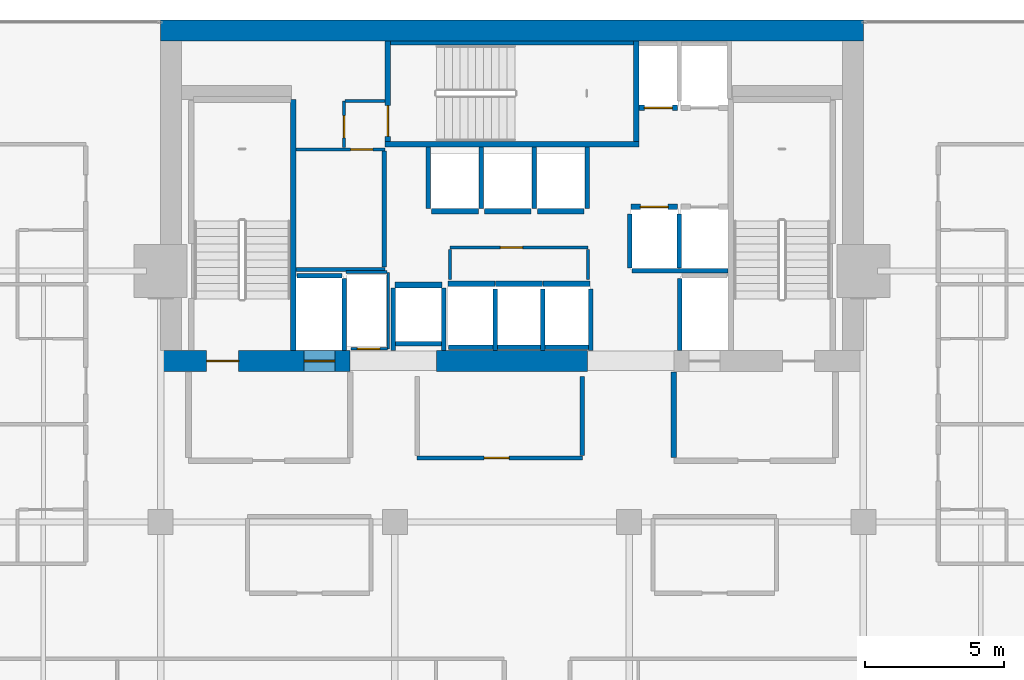
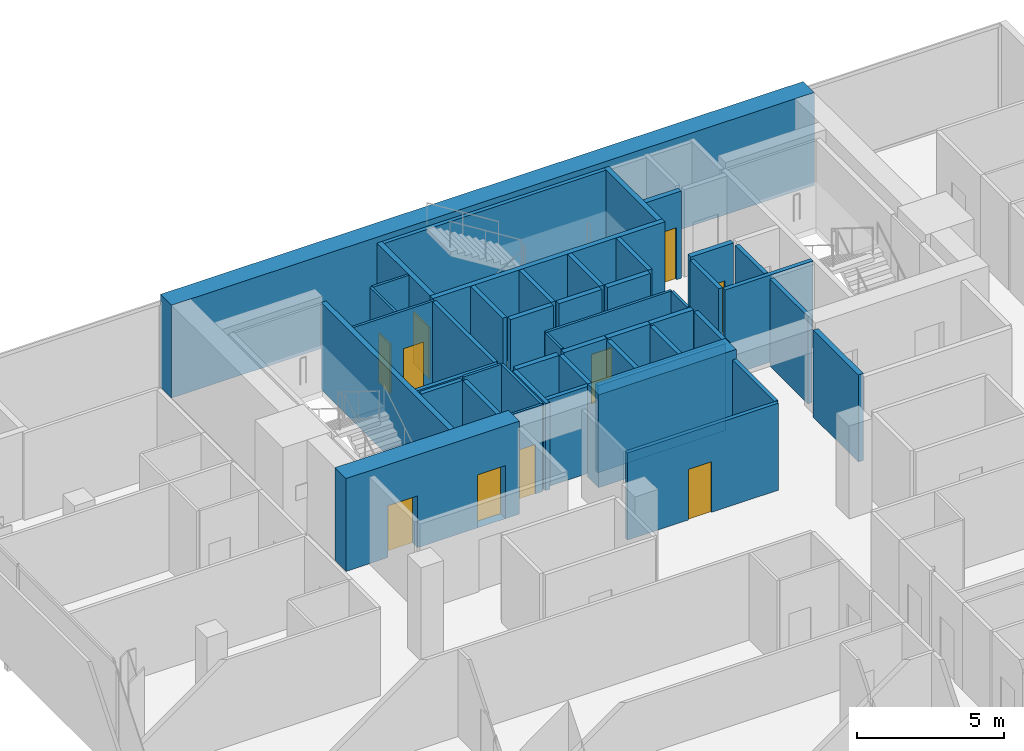
# One storey, part 30 of 34: 48 walls, 10 doors, 10 openings.
"""IFC4 building model written with IfcOpenShell, lengths in metres."""

from ifc_helpers import new_model, si_unit, direction, frame, frame_2d, origin, place, context, subcontext, project, spatial, rectangle, extrude, material, layer, layer_set, type_object, element, fill, save


model = new_model("IFC4")

# Units and contexts
model_context = context("Model", 3, precision=1e-05, world=origin(), true_north=direction((0.0, 1.0)))
body_context = subcontext(model_context, "Body", "Model", "MODEL_VIEW")
ifc_project = project(units=[si_unit("LENGTHUNIT", "METRE"), si_unit("AREAUNIT", "SQUARE_METRE"), si_unit("VOLUMEUNIT", "CUBIC_METRE"), si_unit("PLANEANGLEUNIT", "RADIAN"), si_unit("MASSUNIT", "GRAM", prefix="KILO")], contexts=[model_context])

# Site, building, storey
site_placement = place(None, origin())
site = spatial("IfcSite", under=ifc_project, at=site_placement, CompositionType="ELEMENT")
building_placement = place(site_placement, origin())
building = spatial("IfcBuilding", under=site, at=building_placement, Name="Maruvema Waterfront Hotel and Observation Tower", CompositionType="ELEMENT")
storey_placement = place(building_placement, frame((0.0, 0.0, 173.60009765625)))
storey = spatial("IfcBuildingStorey", under=building, at=storey_placement, Name="L42", CompositionType="ELEMENT", Elevation=173.60009765625)

# Walls
ifc_material_1 = material(Name="Twin-stud acoustic gypsum drywall", Category="gypsum")
ifc_layer_1 = layer(ifc_material_1, 0.14990234375, Name="Acoustic Corridor and Suite Demising Wall 150 mm")
ifc_layer_set_1 = layer_set([ifc_layer_1], Name="Twin-stud acoustic gypsum drywall")
wall_type_1 = type_object("IfcWallType", Name="Acoustic Corridor and Suite Demising Wall 150 mm", PredefinedType="PARTITIONING", material=ifc_layer_set_1)
wall_1_placement = place(storey_placement, frame((30.06005859375, 45.06005859375, 0.0), z_axis=(0.0, 0.0, 1.0), x_axis=(1.0, 0.0, 0.0)))
element("IfcWall", 1, at=wall_1_placement, inside=storey, type_object=wall_type_1, Name="L42 Freed B1 South Wall 013", PredefinedType="PARTITIONING", context=body_context, shape_type="SweptSolid", body=[
    extrude(rectangle(XDim=3.179931640625, YDim=0.14990234375, at=frame_2d((1.58984375, 0.0))), origin(), (0.0, 0.0, 1.0), 3.60986328125),
])
wall_2_placement = place(storey_placement, frame((33.219970703125, 45.139892578125, 0.0), z_axis=(0.0, 0.0, 1.0), x_axis=(0.0, 1.0, 0.0)))
element("IfcWall", 2, at=wall_2_placement, inside=storey, type_object=wall_type_1, Name="L42 Freed B1 East Wall 014", PredefinedType="PARTITIONING", context=body_context, shape_type="SweptSolid", body=[
    extrude(rectangle(XDim=4.16015625, YDim=0.14990234375, at=frame_2d((2.080078125, 0.0))), origin(), (0.0, 0.0, 1.0), 3.60986328125),
])

# Wall, opening, door
wall_3_placement = place(storey_placement, frame((34.39990234375, 38.300048828125, 0.0), z_axis=(0.0, 0.0, 1.0), x_axis=(1.0, 0.0, 0.0)))
wall_3 = element("IfcWall", 3, at=wall_3_placement, inside=storey, type_object=wall_type_1, Name="L42 Core Apron K0 South 018", PredefinedType="PARTITIONING", context=body_context, shape_type="SweptSolid", body=[
    extrude(rectangle(XDim=5.920166015625, YDim=0.14990234375, at=frame_2d((2.9599609375, 0.0))), origin(), (0.0, 0.0, 1.0), 3.60986328125),
])
opening_1_placement = place(wall_3_placement, frame((2.39990234375, 0.0, 0.0)))
opening_1 = element("IfcOpeningElement", 4, at=opening_1_placement, cuts=wall_3, Name="Opening DR-090", PredefinedType="OPENING", context=body_context, shape_type="SweptSolid", body=[
    extrude(rectangle(XDim=0.89990234375, YDim=2.10009765625, at=frame_2d((0.449951171875, 1.050048828125))), frame((0.0, 0.0849609375, 0.0), z_axis=(0.0, -1.0, 0.0), x_axis=(1.0, 0.0, 0.0)), (0.0, 0.0, 1.0), 0.169921875),
])
ifc_material_2 = material(Name="Solid-core lacquered timber leaf", Category="wood")
door_type_1 = type_object("IfcDoorType", Name="Accessible Toilet and Room Door 900x2100 mm", OperationType="NOTDEFINED", PredefinedType="DOOR", material=ifc_material_2)
door_1_placement = place(opening_1_placement, frame((0.89990234375, 0.0, 0.0), z_axis=(0.0, 0.0, 1.0), x_axis=(-1.0, 0.0, 0.0)))
door_1 = element("IfcDoor", 5, at=door_1_placement, inside=storey, type_object=door_type_1, Name="L42 Core Valet Room Door", OperationType="SINGLE_SWING_LEFT", OverallHeight=2.10009765625, OverallWidth=0.89990234375, PredefinedType="DOOR", context=body_context, shape_type="SweptSolid", body=[
    extrude(rectangle(XDim=0.89990234375, YDim=2.10009765625, at=frame_2d((0.449951171875, 1.050048828125))), frame((0.0, 0.02490234375, 0.0), z_axis=(0.0, -1.0, 0.0), x_axis=(1.0, 0.0, 0.0)), (0.0, 0.0, 1.0), 0.050048828125),
])
fill(opening_1, door_1)

# Walls
wall_4_placement = place(storey_placement, frame((40.320068359375, 38.3798828125, 0.0), z_axis=(0.0, 0.0, 1.0), x_axis=(0.0, 1.0, 0.0)))
element("IfcWall", 6, at=wall_4_placement, inside=storey, type_object=wall_type_1, Name="L42 Core Apron K0 East 020", PredefinedType="PARTITIONING", context=body_context, shape_type="SweptSolid", body=[
    extrude(rectangle(XDim=2.840087890625, YDim=0.14990234375, at=frame_2d((1.419921875, 0.0))), origin(), (0.0, 0.0, 1.0), 3.60986328125),
])
ifc_material_3 = material(Name="Precast concrete C45/55", Category="concrete")
ifc_layer_2 = layer(ifc_material_3, 0.14990234375, Name="Core Shaft Furring Wall 150 mm")
ifc_layer_set_2 = layer_set([ifc_layer_2], Name="Precast concrete C45/55")
wall_type_2 = type_object("IfcWallType", Name="Core Shaft Furring Wall 150 mm", PredefinedType="SOLIDWALL", material=ifc_layer_set_2)
wall_5_placement = place(storey_placement, frame((33.449951171875, 53.175048828125, 0.0), z_axis=(0.0, 0.0, 1.0), x_axis=(1.0, 0.0, 0.0)))
element("IfcWall", 7, at=wall_5_placement, inside=storey, type_object=wall_type_2, Name="L42 Stairwell ST-02 North Furring Wall", PredefinedType="SOLIDWALL", context=body_context, shape_type="SweptSolid", body=[
    extrude(rectangle(XDim=8.699951171875, YDim=0.14990234375, at=frame_2d((4.35009765625, 0.0))), origin(), (0.0, 0.0, 1.0), 3.60986328125),
])
ifc_material_4 = material(Name="Precast concrete C45/55", Category="concrete")
ifc_layer_3 = layer(ifc_material_4, 0.199951171875, Name="Core Shaft and Stairwell Enclosure Wall 200 mm")
ifc_layer_set_3 = layer_set([ifc_layer_3], Name="Precast concrete C45/55")
wall_type_3 = type_object("IfcWallType", Name="Core Shaft and Stairwell Enclosure Wall 200 mm", PredefinedType="SOLIDWALL", material=ifc_layer_set_3)
wall_6_placement = place(storey_placement, frame((29.949951171875, 42.14990234375, 0.0), z_axis=(0.0, 0.0, 1.0), x_axis=(0.0, 1.0, 0.0)))
element("IfcWall", 8, at=wall_6_placement, inside=storey, type_object=wall_type_3, Name="L42 Stairwell ST-01 East Shaft Wall", PredefinedType="SOLIDWALL", context=body_context, shape_type="SweptSolid", body=[
    extrude(rectangle(XDim=9.0, YDim=0.199951171875, at=frame_2d((4.5, 0.0))), origin(), (0.0, 0.0, 1.0), 3.60986328125),
])
wall_7_placement = place(storey_placement, frame((33.25, 49.550048828125, 0.0), z_axis=(0.0, 0.0, 1.0), x_axis=(1.0, 0.0, 0.0)))
element("IfcWall", 9, at=wall_7_placement, inside=storey, type_object=wall_type_3, Name="L42 Stairwell ST-02 Shaft Wall", PredefinedType="SOLIDWALL", context=body_context, shape_type="SweptSolid", body=[
    extrude(rectangle(XDim=9.10009765625, YDim=0.199951171875, at=frame_2d((4.550048828125, 0.0))), origin(), (0.0, 0.0, 1.0), 3.60986328125),
])
wall_8_placement = place(storey_placement, frame((42.25, 49.64990234375, 0.0), z_axis=(0.0, 0.0, 1.0), x_axis=(0.0, 1.0, 0.0)))
element("IfcWall", 10, at=wall_8_placement, inside=storey, type_object=wall_type_3, Name="L42 Stairwell ST-02 Shaft Wall", PredefinedType="SOLIDWALL", context=body_context, shape_type="SweptSolid", body=[
    extrude(rectangle(XDim=3.60009765625, YDim=0.199951171875, at=frame_2d((1.800048828125, 0.0))), origin(), (0.0, 0.0, 1.0), 3.60986328125),
])

# Wall, opening, door
wall_9_placement = place(storey_placement, frame((33.35009765625, 49.64990234375, 0.0), z_axis=(0.0, 0.0, 1.0), x_axis=(0.0, 1.0, 0.0)))
wall_9 = element("IfcWall", 11, at=wall_9_placement, inside=storey, type_object=wall_type_3, Name="L42 Stairwell ST-02 Shaft Wall", PredefinedType="SOLIDWALL", context=body_context, shape_type="SweptSolid", body=[
    extrude(rectangle(XDim=3.60009765625, YDim=0.199951171875, at=frame_2d((1.800048828125, 0.0))), origin(), (0.0, 0.0, 1.0), 3.60986328125),
])
opening_2_placement = place(wall_9_placement, frame((0.179931640625, 0.0, 0.0)))
opening_2 = element("IfcOpeningElement", 12, at=opening_2_placement, cuts=wall_9, Name="Opening SD-02", PredefinedType="OPENING", context=body_context, shape_type="SweptSolid", body=[
    extrude(rectangle(XDim=1.10009765625, YDim=2.14990234375, at=frame_2d((0.550048828125, 1.074951171875))), frame((0.0, 0.10986328125, 0.0), z_axis=(0.0, -1.0, 0.0), x_axis=(1.0, 0.0, 0.0)), (0.0, 0.0, 1.0), 0.219970703125),
])
ifc_material_5 = material(Name="Fire-rated galvanised steel leaf", Category="steel")
door_type_2 = type_object("IfcDoorType", Name="Central Exit Stair Fire Door 1100x2150 mm", OperationType="NOTDEFINED", PredefinedType="DOOR", material=ifc_material_5)
door_2_placement = place(opening_2_placement, frame((1.10009765625, 0.0, 0.0), z_axis=(0.0, 0.0, 1.0), x_axis=(-1.0, 0.0, 0.0)))
door_2 = element("IfcDoor", 13, at=door_2_placement, inside=storey, type_object=door_type_2, Name="L42 Exit Stair ST-02 Fire Door", OperationType="SINGLE_SWING_LEFT", OverallHeight=2.14990234375, OverallWidth=1.10009765625, PredefinedType="DOOR", context=body_context, shape_type="SweptSolid", body=[
    extrude(rectangle(XDim=1.10009765625, YDim=2.14990234375, at=frame_2d((0.550048828125, 1.074951171875))), frame((0.0, 0.02490234375, 0.0), z_axis=(0.0, -1.0, 0.0), x_axis=(1.0, 0.0, 0.0)), (0.0, 0.0, 1.0), 0.050048828125),
])
fill(opening_2, door_2)

wall_10_placement = place(storey_placement, frame((42.06005859375, 47.300048828125, 0.0), z_axis=(0.0, 0.0, 1.0), x_axis=(1.0, 0.0, 0.0)))
wall_10 = element("IfcWall", 14, at=wall_10_placement, inside=storey, type_object=wall_type_3, Name="L42 Lift LF-05 Hoistway Front Wall", PredefinedType="SOLIDWALL", context=body_context, shape_type="SweptSolid", body=[
    extrude(rectangle(XDim=1.679931640625, YDim=0.199951171875, at=frame_2d((0.83984375, 0.0))), origin(), (0.0, 0.0, 1.0), 3.60986328125),
])
opening_3_placement = place(wall_10_placement, frame((0.340087890625, 0.0, 0.0)))
opening_3 = element("IfcOpeningElement", 15, at=opening_3_placement, cuts=wall_10, Name="Opening LD-01", PredefinedType="OPENING", context=body_context, shape_type="SweptSolid", body=[
    extrude(rectangle(XDim=1.0, YDim=2.14990234375, at=frame_2d((0.5, 1.074951171875))), frame((0.0, 0.10986328125, 0.0), z_axis=(0.0, -1.0, 0.0), x_axis=(1.0, 0.0, 0.0)), (0.0, 0.0, 1.0), 0.219970703125),
])
ifc_material_6 = material(Name="Brushed stainless steel Grade 316", Category="steel")
door_type_3 = type_object("IfcDoorType", Name="Passenger Lift Sliding Landing Door 1000x2150 mm", OperationType="SLIDING_TO_LEFT", PredefinedType="DOOR", material=ifc_material_6)
door_3_placement = place(opening_3_placement, origin())
door_3 = element("IfcDoor", 16, at=door_3_placement, inside=storey, type_object=door_type_3, Name="L42 Lift LF-05 Sliding Landing Door", OperationType="SLIDING_TO_LEFT", OverallHeight=2.14990234375, OverallWidth=1.0, PredefinedType="DOOR", context=body_context, shape_type="SweptSolid", body=[
    extrude(rectangle(XDim=1.0, YDim=2.14990234375, at=frame_2d((0.5, 1.074951171875))), frame((0.0, 0.02490234375, 0.0), z_axis=(0.0, -1.0, 0.0), x_axis=(1.0, 0.0, 0.0)), (0.0, 0.0, 1.0), 0.050048828125),
])
fill(opening_3, door_3)

wall_11_placement = place(storey_placement, frame((42.360107421875, 50.85009765625, 0.0), z_axis=(0.0, 0.0, 1.0), x_axis=(1.0, 0.0, 0.0)))
wall_11 = element("IfcWall", 17, at=wall_11_placement, inside=storey, type_object=wall_type_3, Name="L42 Lift LF-07 Hoistway Front Wall", PredefinedType="SOLIDWALL", context=body_context, shape_type="SweptSolid", body=[
    extrude(rectangle(XDim=1.3798828125, YDim=0.199951171875, at=frame_2d((0.68994140625, 0.0))), origin(), (0.0, 0.0, 1.0), 3.60986328125),
])
opening_4_placement = place(wall_11_placement, frame((0.18994140625, 0.0, 0.0)))
opening_4 = element("IfcOpeningElement", 18, at=opening_4_placement, cuts=wall_11, Name="Opening LD-01", PredefinedType="OPENING", context=body_context, shape_type="SweptSolid", body=[
    extrude(rectangle(XDim=1.0, YDim=2.14990234375, at=frame_2d((0.5, 1.074951171875))), frame((0.0, 0.10986328125, 0.0), z_axis=(0.0, -1.0, 0.0), x_axis=(1.0, 0.0, 0.0)), (0.0, 0.0, 1.0), 0.219970703125),
])
door_4_placement = place(opening_4_placement, frame((1.0, 0.0, 0.0), z_axis=(0.0, 0.0, 1.0), x_axis=(-1.0, 0.0, 0.0)))
door_4 = element("IfcDoor", 19, at=door_4_placement, inside=storey, type_object=door_type_3, Name="L42 Lift LF-07 Sliding Landing Door", OperationType="SLIDING_TO_LEFT", OverallHeight=2.14990234375, OverallWidth=1.0, PredefinedType="DOOR", context=body_context, shape_type="SweptSolid", body=[
    extrude(rectangle(XDim=1.0, YDim=2.14990234375, at=frame_2d((0.5, 1.074951171875))), frame((0.0, 0.02490234375, 0.0), z_axis=(0.0, -1.0, 0.0), x_axis=(1.0, 0.0, 0.0)), (0.0, 0.0, 1.0), 0.050048828125),
])
fill(opening_4, door_4)

# Walls
for number, where, z_axis, x_axis, name in (
    (20, (35.510009765625, 44.550048828125, 0.0), (0.0, 0.0, 1.0), (1.0, 0.0, 0.0), "L42 Lift LF-09 Hoistway Front Wall"),
    (21, (37.2099609375, 44.550048828125, 0.0), (0.0, 0.0, 1.0), (1.0, 0.0, 0.0), "L42 Lift LF-10 Hoistway Front Wall"),
):
    element("IfcWall", number, at=place(storey_placement, frame(where, z_axis=z_axis, x_axis=x_axis)), inside=storey, type_object=wall_type_3, Name=name, PredefinedType="SOLIDWALL", context=body_context, shape_type="SweptSolid", body=[
        extrude(rectangle(XDim=1.679931640625, YDim=0.199951171875, at=frame_2d((0.83984375, 0.0))), origin(), (0.0, 0.0, 1.0), 3.60986328125),
    ])
for number, where, z_axis, x_axis, name in (
    (22, (38.909912109375, 44.550048828125, 0.0), (0.0, 0.0, 1.0), (1.0, 0.0, 0.0), "L42 Lift LF-11 Hoistway Front Wall"),
    (23, (34.909912109375, 47.14990234375, 0.0), (0.0, 0.0, 1.0), (1.0, 0.0, 0.0), "L42 Lift LF-12 Hoistway Front Wall"),
):
    element("IfcWall", number, at=place(storey_placement, frame(where, z_axis=z_axis, x_axis=x_axis)), inside=storey, type_object=wall_type_3, Name=name, PredefinedType="SOLIDWALL", context=body_context, shape_type="SweptSolid", body=[
        extrude(rectangle(XDim=1.68017578125, YDim=0.199951171875, at=frame_2d((0.840087890625, 0.0))), origin(), (0.0, 0.0, 1.0), 3.60986328125),
    ])
for number, where, z_axis, x_axis, name in (
    (24, (36.81005859375, 47.14990234375, 0.0), (0.0, 0.0, 1.0), (1.0, 0.0, 0.0), "L42 Lift LF-13 Hoistway Front Wall"),
    (25, (38.7099609375, 47.14990234375, 0.0), (0.0, 0.0, 1.0), (1.0, 0.0, 0.0), "L42 Lift LF-14 Hoistway Front Wall"),
    (26, (33.610107421875, 44.5, 0.0), (0.0, 0.0, 1.0), (1.0, 0.0, 0.0), "L42 Lift LF-15 Hoistway Front Wall"),
):
    element("IfcWall", number, at=place(storey_placement, frame(where, z_axis=z_axis, x_axis=x_axis)), inside=storey, type_object=wall_type_3, Name=name, PredefinedType="SOLIDWALL", context=body_context, shape_type="SweptSolid", body=[
        extrude(rectangle(XDim=1.679931640625, YDim=0.199951171875, at=frame_2d((0.83984375, 0.0))), origin(), (0.0, 0.0, 1.0), 3.60986328125),
    ])
ifc_material_7 = material(Name="Concrete C70/85", Category="concrete")
ifc_layer_4 = layer(ifc_material_7, 0.75, Name="Core Shear Wall 750 mm")
ifc_layer_set_4 = layer_set([ifc_layer_4], Name="Concrete C70/85")
wall_type_4 = type_object("IfcWallType", Name="Core Shear Wall 750 mm", PredefinedType="SHEAR", material=ifc_layer_set_4)
wall_12_placement = place(storey_placement, frame((25.199951171875, 53.625, 0.0), z_axis=(0.0, 0.0, 1.0), x_axis=(1.0, 0.0, 0.0)))
element("IfcWall", 27, at=wall_12_placement, inside=storey, type_object=wall_type_4, Name="L42 North Core Shear Wall", PredefinedType="SHEAR", context=body_context, shape_type="SweptSolid", body=[
    extrude(rectangle(XDim=25.199951171875, YDim=0.75, at=frame_2d((12.60009765625, 0.0))), origin(), (0.0, 0.0, 1.0), 3.849853515625),
])

# Wall, openings, doors
wall_13_placement = place(storey_placement, frame((25.199951171875, 41.77490234375, 0.0), z_axis=(0.0, 0.0, 1.0), x_axis=(1.0, 0.0, 0.0)))
wall_13 = element("IfcWall", 28, at=wall_13_placement, inside=storey, type_object=wall_type_4, Name="L42 South-West Core Shear Wall", PredefinedType="SHEAR", context=body_context, shape_type="SweptSolid", body=[
    extrude(rectangle(XDim=6.800048828125, YDim=0.75, at=frame_2d((3.39990234375, 0.0))), origin(), (0.0, 0.0, 1.0), 3.849853515625),
])
opening_5_placement = place(wall_13_placement, frame((1.64990234375, 0.0, 0.0)))
opening_5 = element("IfcOpeningElement", 29, at=opening_5_placement, cuts=wall_13, Name="Opening SD-01", PredefinedType="OPENING", context=body_context, shape_type="SweptSolid", body=[
    extrude(rectangle(XDim=1.14990234375, YDim=2.14990234375, at=frame_2d((0.574951171875, 1.074951171875))), frame((0.0, 0.385009765625, 0.0), z_axis=(0.0, -1.0, 0.0), x_axis=(1.0, 0.0, 0.0)), (0.0, 0.0, 1.0), 0.77001953125),
])
opening_6_placement = place(wall_13_placement, frame((5.14990234375, 0.0, 0.0)))
opening_6 = element("IfcOpeningElement", 30, at=opening_6_placement, cuts=wall_13, Name="Opening LD-03", PredefinedType="OPENING", context=body_context, shape_type="SweptSolid", body=[
    extrude(rectangle(XDim=1.10009765625, YDim=2.199951171875, at=frame_2d((0.550048828125, 1.10009765625))), frame((0.0, 0.385009765625, 0.0), z_axis=(0.0, -1.0, 0.0), x_axis=(1.0, 0.0, 0.0)), (0.0, 0.0, 1.0), 0.77001953125),
])
ifc_material_8 = material(Name="Fire-rated galvanised steel leaf", Category="steel")
door_type_4 = type_object("IfcDoorType", Name="Exit Stair Fire Door 1150x2150 mm", OperationType="NOTDEFINED", PredefinedType="DOOR", material=ifc_material_8)
door_5_placement = place(opening_5_placement, origin())
door_5 = element("IfcDoor", 31, at=door_5_placement, inside=storey, type_object=door_type_4, Name="L42 Exit Stair ST-01 Fire Door", OperationType="SINGLE_SWING_LEFT", OverallHeight=2.14990234375, OverallWidth=1.14990234375, PredefinedType="DOOR", context=body_context, shape_type="SweptSolid", body=[
    extrude(rectangle(XDim=1.14990234375, YDim=2.14990234375, at=frame_2d((0.574951171875, 1.074951171875))), frame((0.0, 0.02490234375, 0.0), z_axis=(0.0, -1.0, 0.0), x_axis=(1.0, 0.0, 0.0)), (0.0, 0.0, 1.0), 0.050048828125),
])
fill(opening_5, door_5)
ifc_material_9 = material(Name="Brushed stainless steel Grade 316", Category="steel")
door_type_5 = type_object("IfcDoorType", Name="Firefighting Lift Sliding Landing Door 1100x2200 mm", OperationType="SLIDING_TO_LEFT", PredefinedType="DOOR", material=ifc_material_9)
door_6_placement = place(opening_6_placement, frame((1.10009765625, 0.0, 0.0), z_axis=(0.0, 0.0, 1.0), x_axis=(-1.0, 0.0, 0.0)))
door_6 = element("IfcDoor", 32, at=door_6_placement, inside=storey, type_object=door_type_5, Name="L42 Firefighting Lift FL-01 Landing Door", OperationType="SLIDING_TO_LEFT", OverallHeight=2.199951171875, OverallWidth=1.10009765625, PredefinedType="DOOR", context=body_context, shape_type="SweptSolid", body=[
    extrude(rectangle(XDim=1.10009765625, YDim=2.199951171875, at=frame_2d((0.550048828125, 1.10009765625))), frame((0.0, 0.02490234375, 0.0), z_axis=(0.0, -1.0, 0.0), x_axis=(1.0, 0.0, 0.0)), (0.0, 0.0, 1.0), 0.050048828125),
])
fill(opening_6, door_6)

# Wall
wall_14_placement = place(storey_placement, frame((35.10009765625, 41.77490234375, 0.0), z_axis=(0.0, 0.0, 1.0), x_axis=(1.0, 0.0, 0.0)))
element("IfcWall", 33, at=wall_14_placement, inside=storey, type_object=wall_type_4, Name="L42 South-Central Core Shear Wall", PredefinedType="SHEAR", context=body_context, shape_type="SweptSolid", body=[
    extrude(rectangle(XDim=5.39990234375, YDim=0.75, at=frame_2d((2.699951171875, 0.0))), origin(), (0.0, 0.0, 1.0), 3.849853515625),
])

# Wall, opening, door
ifc_material_10 = material(Name="Moisture-resistant cement-board drywall", Category="gypsum")
ifc_layer_5 = layer(ifc_material_10, 0.10009765625, Name="En-Suite Moisture-Resistant Partition 100 mm")
ifc_layer_set_5 = layer_set([ifc_layer_5], Name="Moisture-resistant cement-board drywall")
wall_type_5 = type_object("IfcWallType", Name="En-Suite Moisture-Resistant Partition 100 mm", PredefinedType="PARTITIONING", material=ifc_layer_set_5)
wall_15_placement = place(storey_placement, frame((32.02001953125, 42.2099609375, 0.0), z_axis=(0.0, 0.0, 1.0), x_axis=(1.0, 0.0, 0.0)))
wall_15 = element("IfcWall", 34, at=wall_15_placement, inside=storey, type_object=wall_type_5, Name="L42 Telecom Riser South Wall 007", PredefinedType="PARTITIONING", context=body_context, shape_type="SweptSolid", body=[
    extrude(rectangle(XDim=1.320068359375, YDim=0.10009765625, at=frame_2d((0.66015625, 0.0))), origin(), (0.0, 0.0, 1.0), 3.60986328125),
])
opening_7_placement = place(wall_15_placement, frame((0.239990234375, 0.0, 0.0)))
opening_7 = element("IfcOpeningElement", 35, at=opening_7_placement, cuts=wall_15, Name="Opening DR-080", PredefinedType="OPENING", context=body_context, shape_type="SweptSolid", body=[
    extrude(rectangle(XDim=0.800048828125, YDim=2.050048828125, at=frame_2d((0.39990234375, 1.02490234375))), frame((0.0, 0.06005859375, 0.0), z_axis=(0.0, -1.0, 0.0), x_axis=(1.0, 0.0, 0.0)), (0.0, 0.0, 1.0), 0.1201171875),
])
ifc_material_11 = material(Name="Powder-coated steel access leaf", Category="steel")
door_type_6 = type_object("IfcDoorType", Name="Riser and Service Cupboard Door 800x2050 mm", OperationType="NOTDEFINED", PredefinedType="DOOR", material=ifc_material_11)
door_7_placement = place(opening_7_placement, frame((0.800048828125, 0.0, 0.0), z_axis=(0.0, 0.0, 1.0), x_axis=(-1.0, 0.0, 0.0)))
door_7 = element("IfcDoor", 36, at=door_7_placement, inside=storey, type_object=door_type_6, Name="L42 Telecom Riser Door", OperationType="SINGLE_SWING_LEFT", OverallHeight=2.050048828125, OverallWidth=0.800048828125, PredefinedType="DOOR", context=body_context, shape_type="SweptSolid", body=[
    extrude(rectangle(XDim=0.800048828125, YDim=2.050048828125, at=frame_2d((0.39990234375, 1.02490234375))), frame((0.0, 0.02490234375, 0.0), z_axis=(0.0, -1.0, 0.0), x_axis=(1.0, 0.0, 0.0)), (0.0, 0.0, 1.0), 0.050048828125),
])
fill(opening_7, door_7)

# Walls
wall_16_placement = place(storey_placement, frame((31.840087890625, 44.9599609375, 0.0), z_axis=(0.0, 0.0, 1.0), x_axis=(1.0, 0.0, 0.0)))
element("IfcWall", 37, at=wall_16_placement, inside=storey, type_object=wall_type_5, Name="L42 Telecom Riser North Wall 008", PredefinedType="PARTITIONING", context=body_context, shape_type="SweptSolid", body=[
    extrude(rectangle(XDim=1.47998046875, YDim=0.10009765625, at=frame_2d((0.739990234375, 0.0))), origin(), (0.0, 0.0, 1.0), 3.60986328125),
])
wall_17_placement = place(storey_placement, frame((33.360107421875, 42.2099609375, 0.0), z_axis=(0.0, 0.0, 1.0), x_axis=(0.0, 1.0, 0.0)))
element("IfcWall", 38, at=wall_17_placement, inside=storey, type_object=wall_type_5, Name="L42 Telecom Riser East Wall 009", PredefinedType="PARTITIONING", context=body_context, shape_type="SweptSolid", body=[
    extrude(rectangle(XDim=2.72998046875, YDim=0.10009765625, at=frame_2d((1.364990234375, 0.0))), origin(), (0.0, 0.0, 1.0), 3.60986328125),
])

# Wall, opening, door
wall_18_placement = place(storey_placement, frame((35.580078125, 45.840087890625, 0.0), z_axis=(0.0, 0.0, 1.0), x_axis=(1.0, 0.0, 0.0)))
wall_18 = element("IfcWall", 39, at=wall_18_placement, inside=storey, type_object=wall_type_5, Name="L42 Core Closet K0 North 010", PredefinedType="PARTITIONING", context=body_context, shape_type="SweptSolid", body=[
    extrude(rectangle(XDim=4.93994140625, YDim=0.10009765625, at=frame_2d((2.469970703125, 0.0))), origin(), (0.0, 0.0, 1.0), 3.60986328125),
])
opening_8_placement = place(wall_18_placement, frame((1.800048828125, 0.0, 0.0)))
opening_8 = element("IfcOpeningElement", 40, at=opening_8_placement, cuts=wall_18, Name="Opening DR-080", PredefinedType="OPENING", context=body_context, shape_type="SweptSolid", body=[
    extrude(rectangle(XDim=0.800048828125, YDim=2.050048828125, at=frame_2d((0.39990234375, 1.02490234375))), frame((0.0, 0.06005859375, 0.0), z_axis=(0.0, -1.0, 0.0), x_axis=(1.0, 0.0, 0.0)), (0.0, 0.0, 1.0), 0.1201171875),
])
door_8_placement = place(opening_8_placement, origin())
door_8 = element("IfcDoor", 41, at=door_8_placement, inside=storey, type_object=door_type_6, Name="L42 Core Electrical Closet Door", OperationType="SINGLE_SWING_RIGHT", OverallHeight=2.050048828125, OverallWidth=0.800048828125, PredefinedType="DOOR", context=body_context, shape_type="SweptSolid", body=[
    extrude(rectangle(XDim=0.800048828125, YDim=2.050048828125, at=frame_2d((0.39990234375, 1.02490234375))), frame((0.0, 0.02490234375, 0.0), z_axis=(0.0, -1.0, 0.0), x_axis=(1.0, 0.0, 0.0)), (0.0, 0.0, 1.0), 0.050048828125),
])
fill(opening_8, door_8)

# Walls
for number, where, z_axis, x_axis, name in (
    (42, (35.580078125, 44.699951171875, 0.0), (0.0, 0.0, 1.0), (0.0, 1.0, 0.0), "L42 Core Closet K0 West 011"),
    (43, (40.52001953125, 44.699951171875, 0.0), (0.0, 0.0, 1.0), (0.0, 1.0, 0.0), "L42 Core Closet K0 East 012"),
):
    element("IfcWall", number, at=place(storey_placement, frame(where, z_axis=z_axis, x_axis=x_axis)), inside=storey, type_object=wall_type_5, Name=name, PredefinedType="PARTITIONING", context=body_context, shape_type="SweptSolid", body=[
        extrude(rectangle(XDim=1.080078125, YDim=0.10009765625, at=frame_2d((0.5400390625, 0.0))), origin(), (0.0, 0.0, 1.0), 3.60986328125),
    ])

# Wall, opening, door
wall_19_placement = place(storey_placement, frame((30.06005859375, 49.360107421875, 0.0), z_axis=(0.0, 0.0, 1.0), x_axis=(1.0, 0.0, 0.0)))
wall_19 = element("IfcWall", 44, at=wall_19_placement, inside=storey, type_object=wall_type_5, Name="L42 Freed B1 Mid Wall 015", PredefinedType="PARTITIONING", context=body_context, shape_type="SweptSolid", body=[
    extrude(rectangle(XDim=3.179931640625, YDim=0.10009765625, at=frame_2d((1.58984375, 0.0))), origin(), (0.0, 0.0, 1.0), 3.60986328125),
])
opening_9_placement = place(wall_19_placement, frame((1.949951171875, 0.0, 0.0)))
opening_9 = element("IfcOpeningElement", 45, at=opening_9_placement, cuts=wall_19, Name="Opening DR-080", PredefinedType="OPENING", context=body_context, shape_type="SweptSolid", body=[
    extrude(rectangle(XDim=0.800048828125, YDim=2.050048828125, at=frame_2d((0.39990234375, 1.02490234375))), frame((0.0, 0.06005859375, 0.0), z_axis=(0.0, -1.0, 0.0), x_axis=(1.0, 0.0, 0.0)), (0.0, 0.0, 1.0), 0.1201171875),
])
door_9_placement = place(opening_9_placement, origin())
door_9 = element("IfcDoor", 46, at=door_9_placement, inside=storey, type_object=door_type_6, Name="L42 Housekeeping and Linen Room Door", OperationType="SINGLE_SWING_LEFT", OverallHeight=2.050048828125, OverallWidth=0.800048828125, PredefinedType="DOOR", context=body_context, shape_type="SweptSolid", body=[
    extrude(rectangle(XDim=0.800048828125, YDim=2.050048828125, at=frame_2d((0.39990234375, 1.02490234375))), frame((0.0, 0.02490234375, 0.0), z_axis=(0.0, -1.0, 0.0), x_axis=(1.0, 0.0, 0.0)), (0.0, 0.0, 1.0), 0.050048828125),
])
fill(opening_9, door_9)

wall_20_placement = place(storey_placement, frame((31.780029296875, 49.419921875, 0.0), z_axis=(0.0, 0.0, 1.0), x_axis=(0.0, 1.0, 0.0)))
wall_20 = element("IfcWall", 47, at=wall_20_placement, inside=storey, type_object=wall_type_5, Name="L42 Freed B1 NW East Wall 016", PredefinedType="PARTITIONING", context=body_context, shape_type="SweptSolid", body=[
    extrude(rectangle(XDim=1.68017578125, YDim=0.10009765625, at=frame_2d((0.840087890625, 0.0))), origin(), (0.0, 0.0, 1.0), 3.60986328125),
])
opening_10_placement = place(wall_20_placement, frame((0.35009765625, 0.0, 0.0)))
opening_10 = element("IfcOpeningElement", 48, at=opening_10_placement, cuts=wall_20, Name="Opening DR-080", PredefinedType="OPENING", context=body_context, shape_type="SweptSolid", body=[
    extrude(rectangle(XDim=0.800048828125, YDim=2.050048828125, at=frame_2d((0.39990234375, 1.02490234375))), frame((0.0, 0.06005859375, 0.0), z_axis=(0.0, -1.0, 0.0), x_axis=(1.0, 0.0, 0.0)), (0.0, 0.0, 1.0), 0.1201171875),
])
door_10_placement = place(opening_10_placement, origin())
door_10 = element("IfcDoor", 49, at=door_10_placement, inside=storey, type_object=door_type_6, Name="L42 Guest Floor Pantry Door", OperationType="SINGLE_SWING_RIGHT", OverallHeight=2.050048828125, OverallWidth=0.800048828125, PredefinedType="DOOR", context=body_context, shape_type="SweptSolid", body=[
    extrude(rectangle(XDim=0.800048828125, YDim=2.050048828125, at=frame_2d((0.39990234375, 1.02490234375))), frame((0.0, 0.02490234375, 0.0), z_axis=(0.0, -1.0, 0.0), x_axis=(1.0, 0.0, 0.0)), (0.0, 0.0, 1.0), 0.050048828125),
])
fill(opening_10, door_10)

# Walls
wall_21_placement = place(storey_placement, frame((31.820068359375, 51.10009765625, 0.0), z_axis=(0.0, 0.0, 1.0), x_axis=(1.0, 0.0, 0.0)))
element("IfcWall", 50, at=wall_21_placement, inside=storey, type_object=wall_type_5, Name="L42 Freed B1 Vestibule North Wall 017", PredefinedType="PARTITIONING", context=body_context, shape_type="SweptSolid", body=[
    extrude(rectangle(XDim=1.419921875, YDim=0.10009765625, at=frame_2d((0.7099609375, 0.0))), origin(), (0.0, 0.0, 1.0), 3.60986328125),
])
ifc_material_12 = material(Name="Autoclaved cellular concrete blockwork", Category="masonry")
ifc_layer_6 = layer(ifc_material_12, 0.199951171875, Name="Fire Compartment Masonry Wall 200 mm")
ifc_layer_set_6 = layer_set([ifc_layer_6], Name="Autoclaved cellular concrete blockwork")
wall_type_6 = type_object("IfcWallType", Name="Fire Compartment Masonry Wall 200 mm", PredefinedType="PARTITIONING", material=ifc_layer_set_6)
wall_22_placement = place(storey_placement, frame((43.60009765625, 38.31005859375, 0.0), z_axis=(0.0, 0.0, 1.0), x_axis=(0.0, 1.0, 0.0)))
element("IfcWall", 51, at=wall_22_placement, inside=storey, type_object=wall_type_6, Name="L42 FFL East West Wall 005", PredefinedType="PARTITIONING", context=body_context, shape_type="SweptSolid", body=[
    extrude(rectangle(XDim=3.06982421875, YDim=0.199951171875, at=frame_2d((1.534912109375, 0.0))), origin(), (0.0, 0.0, 1.0), 3.60986328125),
])
ifc_material_13 = material(Name="Precast concrete C45/55", Category="concrete")
ifc_layer_7 = layer(ifc_material_13, 0.159912109375, Name="Lift Hoistway Divider Wall 160 mm")
ifc_layer_set_7 = layer_set([ifc_layer_7], Name="Precast concrete C45/55")
wall_type_7 = type_object("IfcWallType", Name="Lift Hoistway Divider Wall 160 mm", PredefinedType="SOLIDWALL", material=ifc_layer_set_7)
wall_23_placement = place(storey_placement, frame((30.10009765625, 44.830078125, 0.0), z_axis=(0.0, 0.0, 1.0), x_axis=(1.0, 0.0, 0.0)))
element("IfcWall", 52, at=wall_23_placement, inside=storey, type_object=wall_type_7, Name="L42 Lift FL-01 Rear Hoistway Wall", PredefinedType="SOLIDWALL", context=body_context, shape_type="SweptSolid", body=[
    extrude(rectangle(XDim=1.599853515625, YDim=0.159912109375, at=frame_2d((0.7998046875, 0.0))), origin(), (0.0, 0.0, 1.0), 3.60986328125),
])
for number, where, z_axis, x_axis, name in (
    (53, (31.780029296875, 42.14990234375, 0.0), (0.0, 0.0, 1.0), (0.0, 1.0, 0.0), "L42 Lift FL-01 Inner Hoistway Wall"),
    (54, (43.820068359375, 42.14990234375, 0.0), (0.0, 0.0, 1.0), (0.0, 1.0, 0.0), "L42 Lift FL-02 Inner Hoistway Wall"),
):
    element("IfcWall", number, at=place(storey_placement, frame(where, z_axis=z_axis, x_axis=x_axis)), inside=storey, type_object=wall_type_7, Name=name, PredefinedType="SOLIDWALL", context=body_context, shape_type="SweptSolid", body=[
        extrude(rectangle(XDim=2.590087890625, YDim=0.159912109375, at=frame_2d((1.294921875, 0.0))), origin(), (0.0, 0.0, 1.0), 3.60986328125),
    ])
for number, where, z_axis, x_axis, name in (
    (55, (42.02001953125, 45.10009765625, 0.0), (0.0, 0.0, 1.0), (0.0, 1.0, 0.0), "L42 Hoistway Divider Wall"),
    (56, (43.800048828125, 45.10009765625, 0.0), (0.0, 0.0, 1.0), (0.0, 1.0, 0.0), "L42 Hoistway Divider Wall"),
):
    element("IfcWall", number, at=place(storey_placement, frame(where, z_axis=z_axis, x_axis=x_axis)), inside=storey, type_object=wall_type_7, Name=name, PredefinedType="SOLIDWALL", context=body_context, shape_type="SweptSolid", body=[
        extrude(rectangle(XDim=1.949951171875, YDim=0.159912109375, at=frame_2d((0.97509765625, 0.0))), origin(), (0.0, 0.0, 1.0), 3.60986328125),
    ])
wall_24_placement = place(storey_placement, frame((42.10009765625, 45.010009765625, 0.0), z_axis=(0.0, 0.0, 1.0), x_axis=(1.0, 0.0, 0.0)))
element("IfcWall", 57, at=wall_24_placement, inside=storey, type_object=wall_type_7, Name="L42 Hoistway Divider Wall", PredefinedType="SOLIDWALL", context=body_context, shape_type="SweptSolid", body=[
    extrude(rectangle(XDim=3.449951171875, YDim=0.159912109375, at=frame_2d((1.72509765625, 0.0))), origin(), (0.0, 0.0, 1.0), 3.60986328125),
])
for number, where, z_axis, x_axis, name in (
    (58, (37.199951171875, 42.14990234375, 0.0), (0.0, 0.0, 1.0), (0.0, 1.0, 0.0), "L42 Hoistway Divider Wall"),
    (59, (38.89990234375, 42.14990234375, 0.0), (0.0, 0.0, 1.0), (0.0, 1.0, 0.0), "L42 Hoistway Divider Wall"),
    (60, (40.6201171875, 42.14990234375, 0.0), (0.0, 0.0, 1.0), (0.0, 1.0, 0.0), "L42 Hoistway Divider Wall"),
):
    element("IfcWall", number, at=place(storey_placement, frame(where, z_axis=z_axis, x_axis=x_axis)), inside=storey, type_object=wall_type_7, Name=name, PredefinedType="SOLIDWALL", context=body_context, shape_type="SweptSolid", body=[
        extrude(rectangle(XDim=2.2001953125, YDim=0.159912109375, at=frame_2d((1.10009765625, 0.0))), origin(), (0.0, 0.0, 1.0), 3.60986328125),
    ])
wall_25_placement = place(storey_placement, frame((35.52001953125, 42.260009765625, 0.0), z_axis=(0.0, 0.0, 1.0), x_axis=(1.0, 0.0, 0.0)))
element("IfcWall", 61, at=wall_25_placement, inside=storey, type_object=wall_type_7, Name="L42 Hoistway Divider Wall", PredefinedType="SOLIDWALL", context=body_context, shape_type="SweptSolid", body=[
    extrude(rectangle(XDim=5.02001953125, YDim=0.159912109375, at=frame_2d((2.510009765625, 0.0))), origin(), (0.0, 0.0, 1.0), 3.60986328125),
])
for number, where, z_axis, x_axis, name in (
    (62, (34.800048828125, 47.25, 0.0), (0.0, 0.0, 1.0), (0.0, 1.0, 0.0), "L42 Hoistway Divider Wall"),
    (63, (36.699951171875, 47.25, 0.0), (0.0, 0.0, 1.0), (0.0, 1.0, 0.0), "L42 Hoistway Divider Wall"),
    (64, (38.60009765625, 47.25, 0.0), (0.0, 0.0, 1.0), (0.0, 1.0, 0.0), "L42 Hoistway Divider Wall"),
    (65, (40.5, 47.25, 0.0), (0.0, 0.0, 1.0), (0.0, 1.0, 0.0), "L42 Hoistway Divider Wall"),
):
    element("IfcWall", number, at=place(storey_placement, frame(where, z_axis=z_axis, x_axis=x_axis)), inside=storey, type_object=wall_type_7, Name=name, PredefinedType="SOLIDWALL", context=body_context, shape_type="SweptSolid", body=[
        extrude(rectangle(XDim=2.18994140625, YDim=0.159912109375, at=frame_2d((1.094970703125, 0.0))), origin(), (0.0, 0.0, 1.0), 3.60986328125),
    ])
for number, where, z_axis, x_axis, name in (
    (66, (33.5400390625, 42.14990234375, 0.0), (0.0, 0.0, 1.0), (0.0, 1.0, 0.0), "L42 Hoistway Divider Wall"),
    (67, (35.360107421875, 42.14990234375, 0.0), (0.0, 0.0, 1.0), (0.0, 1.0, 0.0), "L42 Hoistway Divider Wall"),
):
    element("IfcWall", number, at=place(storey_placement, frame(where, z_axis=z_axis, x_axis=x_axis)), inside=storey, type_object=wall_type_7, Name=name, PredefinedType="SOLIDWALL", context=body_context, shape_type="SweptSolid", body=[
        extrude(rectangle(XDim=2.25, YDim=0.159912109375, at=frame_2d((1.125, 0.0))), origin(), (0.0, 0.0, 1.0), 3.60986328125),
    ])
wall_26_placement = place(storey_placement, frame((33.6201171875, 42.39990234375, 0.0), z_axis=(0.0, 0.0, 1.0), x_axis=(1.0, 0.0, 0.0)))
element("IfcWall", 68, at=wall_26_placement, inside=storey, type_object=wall_type_7, Name="L42 Hoistway Divider Wall", PredefinedType="SOLIDWALL", context=body_context, shape_type="SweptSolid", body=[
    extrude(rectangle(XDim=1.659912109375, YDim=0.159912109375, at=frame_2d((0.830078125, 0.0))), origin(), (0.0, 0.0, 1.0), 3.60986328125),
])

save(model, "model.ifc")
